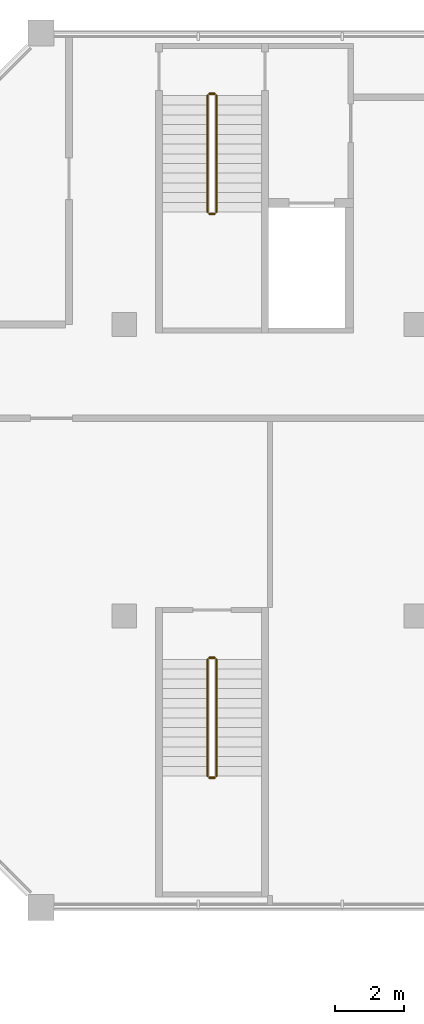
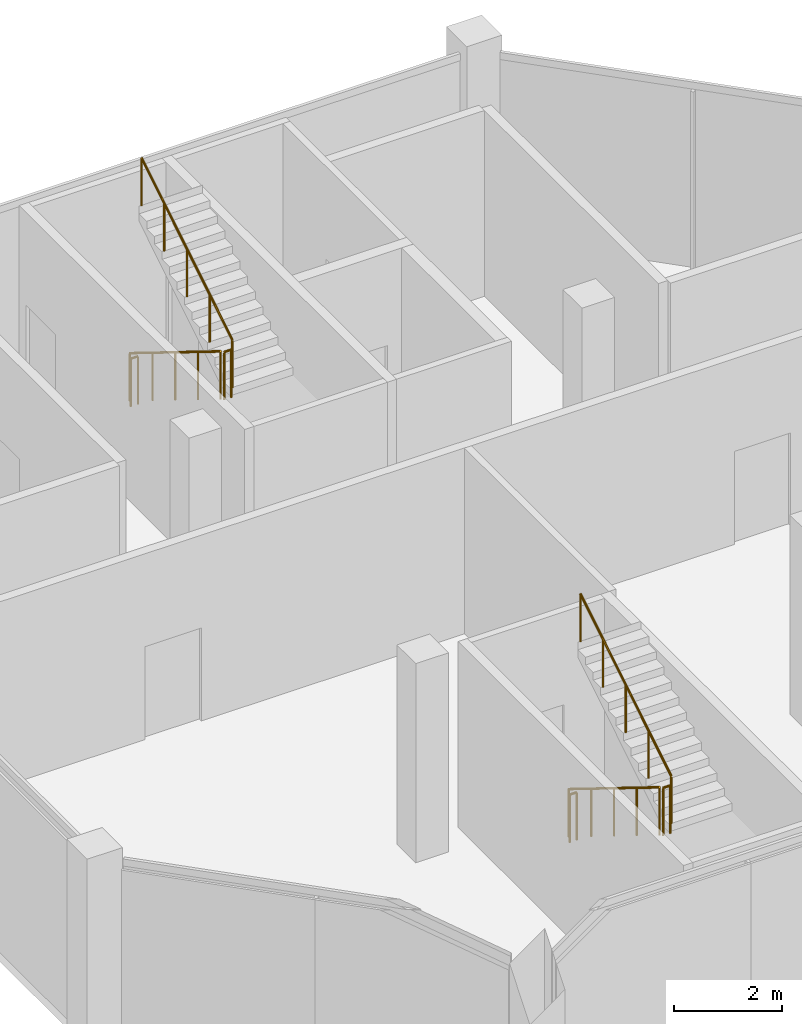
# One storey, part 9 of 9: 8 railings.
"""IFC4 building model written with IfcOpenShell, lengths in metres."""

from ifc_helpers import new_model, si_unit, direction, frame, origin, origin_2d, place, context, subcontext, project, spatial, circle, extrude, material, type_object, element, save


model = new_model("IFC4")

# Units and contexts
model_context = context("Model", 3, precision=1e-05, world=origin(), true_north=direction((0.0, 1.0)))
body_context = subcontext(model_context, "Body", "Model", "MODEL_VIEW")
ifc_project = project(units=[si_unit("LENGTHUNIT", "METRE"), si_unit("AREAUNIT", "SQUARE_METRE"), si_unit("VOLUMEUNIT", "CUBIC_METRE"), si_unit("PLANEANGLEUNIT", "RADIAN"), si_unit("MASSUNIT", "GRAM", prefix="KILO")], contexts=[model_context])

# Site, building, storey
site_placement = place(None, origin())
site = spatial("IfcSite", under=ifc_project, at=site_placement, CompositionType="ELEMENT")
building_placement = place(site_placement, origin())
building = spatial("IfcBuilding", under=site, at=building_placement, Name="Kawkab Arch Medical Tower", CompositionType="ELEMENT")
storey_placement = place(building_placement, frame((0.0, 0.0, 341.199951171875)))
storey = spatial("IfcBuildingStorey", under=building, at=storey_placement, Name="L79", CompositionType="ELEMENT", Elevation=341.199951171875)

# Railings
ifc_material = material(Name="Stainless steel", Category="steel")
railing_type = type_object("IfcRailingType", Name="Stair guard 1100", PredefinedType="GUARDRAIL", material=ifc_material)
railing_1_placement = place(storey_placement, frame((44.39990234375, -1.800048828125, 0.173095703125)))
element("IfcRailing", 1, at=railing_1_placement, inside=storey, type_object=railing_type, Name="L79 ST5 stair guard 1", PredefinedType="GUARDRAIL", context=body_context, shape_type="SweptSolid", body=[
    extrude(circle(Radius=0.02392578125, at=origin_2d()), frame((0.0, 0.0, 1.076171875), z_axis=(0.0, -0.850606129759, 0.525803396734), x_axis=(1.0, 0.0, 0.0)), (0.0, 0.0, 1.0), 3.949951171875),
    extrude(circle(Radius=0.02099609375, at=origin_2d()), origin(), (0.0, 0.0, 1.0), 1.052001953125),
    extrude(circle(Radius=0.02099609375, at=origin_2d()), frame((0.0, -0.83984375, 0.519287109375)), (0.0, 0.0, 1.0), 1.052001953125),
    extrude(circle(Radius=0.02099609375, at=origin_2d()), frame((0.0, -1.679931640625, 1.03857421875)), (0.0, 0.0, 1.0), 1.052001953125),
    extrude(circle(Radius=0.02099609375, at=origin_2d()), frame((0.0, -2.52001953125, 1.5576171875)), (0.0, 0.0, 1.0), 1.052001953125),
    extrude(circle(Radius=0.02099609375, at=origin_2d()), frame((0.0, -3.35986328125, 2.076904296875)), (0.0, 0.0, 1.0), 1.052001953125),
])
railing_2_placement = place(storey_placement, frame((44.449951171875, -5.2099609375, 2.25)))
element("IfcRailing", 2, at=railing_2_placement, inside=storey, type_object=railing_type, Name="L79 ST5 stair guard 2", PredefinedType="GUARDRAIL", context=body_context, shape_type="SweptSolid", body=[
    extrude(circle(Radius=0.02392578125, at=origin_2d()), frame((0.0, 0.0, 1.076171875), z_axis=(1.0, 0.0, 0.0), x_axis=(0.0, 1.0, 0.0)), (0.0, 0.0, 1.0), 0.150146484375),
    extrude(circle(Radius=0.02099609375, at=origin_2d()), origin(), (0.0, 0.0, 1.0), 1.052001953125),
    extrude(circle(Radius=0.02099609375, at=origin_2d()), frame((0.150146484375, 0.0, 0.0)), (0.0, 0.0, 1.0), 1.052001953125),
])
railing_3_placement = place(storey_placement, frame((44.64990234375, -5.159912109375, 2.423095703125)))
element("IfcRailing", 3, at=railing_3_placement, inside=storey, type_object=railing_type, Name="L79 ST5 stair guard 3", PredefinedType="GUARDRAIL", context=body_context, shape_type="SweptSolid", body=[
    extrude(circle(Radius=0.02392578125, at=origin_2d()), frame((0.0, 0.0, 1.076171875), z_axis=(0.0, 0.850606129759, 0.525803396734), x_axis=(-1.0, 0.0, 0.0)), (0.0, 0.0, 1.0), 3.949951171875),
    extrude(circle(Radius=0.02099609375, at=origin_2d()), origin(), (0.0, 0.0, 1.0), 1.052001953125),
    extrude(circle(Radius=0.02099609375, at=origin_2d()), frame((0.0, 0.83984375, 0.519287109375)), (0.0, 0.0, 1.0), 1.052001953125),
    extrude(circle(Radius=0.02099609375, at=origin_2d()), frame((0.0, 1.679931640625, 1.03857421875)), (0.0, 0.0, 1.0), 1.052001953125),
    extrude(circle(Radius=0.02099609375, at=origin_2d()), frame((0.0, 2.52001953125, 1.5576171875)), (0.0, 0.0, 1.0), 1.052001953125),
    extrude(circle(Radius=0.02099609375, at=origin_2d()), frame((0.0, 3.35986328125, 2.076904296875)), (0.0, 0.0, 1.0), 1.052001953125),
])
railing_4_placement = place(storey_placement, frame((44.449951171875, -1.75, 0.0)))
element("IfcRailing", 4, at=railing_4_placement, inside=storey, type_object=railing_type, Name="L79 ST5 stair guard 4", PredefinedType="GUARDRAIL", context=body_context, shape_type="SweptSolid", body=[
    extrude(circle(Radius=0.02392578125, at=origin_2d()), frame((0.0, 0.0, 1.076171875), z_axis=(1.0, 0.0, 0.0), x_axis=(0.0, 1.0, 0.0)), (0.0, 0.0, 1.0), 0.150146484375),
    extrude(circle(Radius=0.02099609375, at=origin_2d()), origin(), (0.0, 0.0, 1.0), 1.052001953125),
    extrude(circle(Radius=0.02099609375, at=origin_2d()), frame((0.150146484375, 0.0, 0.0)), (0.0, 0.0, 1.0), 1.052001953125),
])
railing_5_placement = place(storey_placement, frame((44.39990234375, -18.050048828125, 0.173095703125)))
element("IfcRailing", 5, at=railing_5_placement, inside=storey, type_object=railing_type, Name="L79 ST8 stair guard 1", PredefinedType="GUARDRAIL", context=body_context, shape_type="SweptSolid", body=[
    extrude(circle(Radius=0.02392578125, at=origin_2d()), frame((0.0, 0.0, 1.076171875), z_axis=(0.0, -0.850606129759, 0.525803396734), x_axis=(1.0, 0.0, 0.0)), (0.0, 0.0, 1.0), 3.949951171875),
    extrude(circle(Radius=0.02099609375, at=origin_2d()), origin(), (0.0, 0.0, 1.0), 1.052001953125),
    extrude(circle(Radius=0.02099609375, at=origin_2d()), frame((0.0, -0.83984375, 0.519287109375)), (0.0, 0.0, 1.0), 1.052001953125),
    extrude(circle(Radius=0.02099609375, at=origin_2d()), frame((0.0, -1.679931640625, 1.03857421875)), (0.0, 0.0, 1.0), 1.052001953125),
    extrude(circle(Radius=0.02099609375, at=origin_2d()), frame((0.0, -2.52001953125, 1.5576171875)), (0.0, 0.0, 1.0), 1.052001953125),
    extrude(circle(Radius=0.02099609375, at=origin_2d()), frame((0.0, -3.35986328125, 2.076904296875)), (0.0, 0.0, 1.0), 1.052001953125),
])
railing_6_placement = place(storey_placement, frame((44.449951171875, -21.4599609375, 2.25)))
element("IfcRailing", 6, at=railing_6_placement, inside=storey, type_object=railing_type, Name="L79 ST8 stair guard 2", PredefinedType="GUARDRAIL", context=body_context, shape_type="SweptSolid", body=[
    extrude(circle(Radius=0.02392578125, at=origin_2d()), frame((0.0, 0.0, 1.076171875), z_axis=(1.0, 0.0, 0.0), x_axis=(0.0, 1.0, 0.0)), (0.0, 0.0, 1.0), 0.150146484375),
    extrude(circle(Radius=0.02099609375, at=origin_2d()), origin(), (0.0, 0.0, 1.0), 1.052001953125),
    extrude(circle(Radius=0.02099609375, at=origin_2d()), frame((0.150146484375, 0.0, 0.0)), (0.0, 0.0, 1.0), 1.052001953125),
])
railing_7_placement = place(storey_placement, frame((44.64990234375, -21.409912109375, 2.423095703125)))
element("IfcRailing", 7, at=railing_7_placement, inside=storey, type_object=railing_type, Name="L79 ST8 stair guard 3", PredefinedType="GUARDRAIL", context=body_context, shape_type="SweptSolid", body=[
    extrude(circle(Radius=0.02392578125, at=origin_2d()), frame((0.0, 0.0, 1.076171875), z_axis=(0.0, 0.850606129759, 0.525803396734), x_axis=(-1.0, 0.0, 0.0)), (0.0, 0.0, 1.0), 3.949951171875),
    extrude(circle(Radius=0.02099609375, at=origin_2d()), origin(), (0.0, 0.0, 1.0), 1.052001953125),
    extrude(circle(Radius=0.02099609375, at=origin_2d()), frame((0.0, 0.83984375, 0.519287109375)), (0.0, 0.0, 1.0), 1.052001953125),
    extrude(circle(Radius=0.02099609375, at=origin_2d()), frame((0.0, 1.679931640625, 1.03857421875)), (0.0, 0.0, 1.0), 1.052001953125),
    extrude(circle(Radius=0.02099609375, at=origin_2d()), frame((0.0, 2.52001953125, 1.5576171875)), (0.0, 0.0, 1.0), 1.052001953125),
    extrude(circle(Radius=0.02099609375, at=origin_2d()), frame((0.0, 3.35986328125, 2.076904296875)), (0.0, 0.0, 1.0), 1.052001953125),
])
railing_8_placement = place(storey_placement, frame((44.449951171875, -18.0, 0.0)))
element("IfcRailing", 8, at=railing_8_placement, inside=storey, type_object=railing_type, Name="L79 ST8 stair guard 4", PredefinedType="GUARDRAIL", context=body_context, shape_type="SweptSolid", body=[
    extrude(circle(Radius=0.02392578125, at=origin_2d()), frame((0.0, 0.0, 1.076171875), z_axis=(1.0, 0.0, 0.0), x_axis=(0.0, 1.0, 0.0)), (0.0, 0.0, 1.0), 0.150146484375),
    extrude(circle(Radius=0.02099609375, at=origin_2d()), origin(), (0.0, 0.0, 1.0), 1.052001953125),
    extrude(circle(Radius=0.02099609375, at=origin_2d()), frame((0.150146484375, 0.0, 0.0)), (0.0, 0.0, 1.0), 1.052001953125),
])

save(model, "model.ifc")
